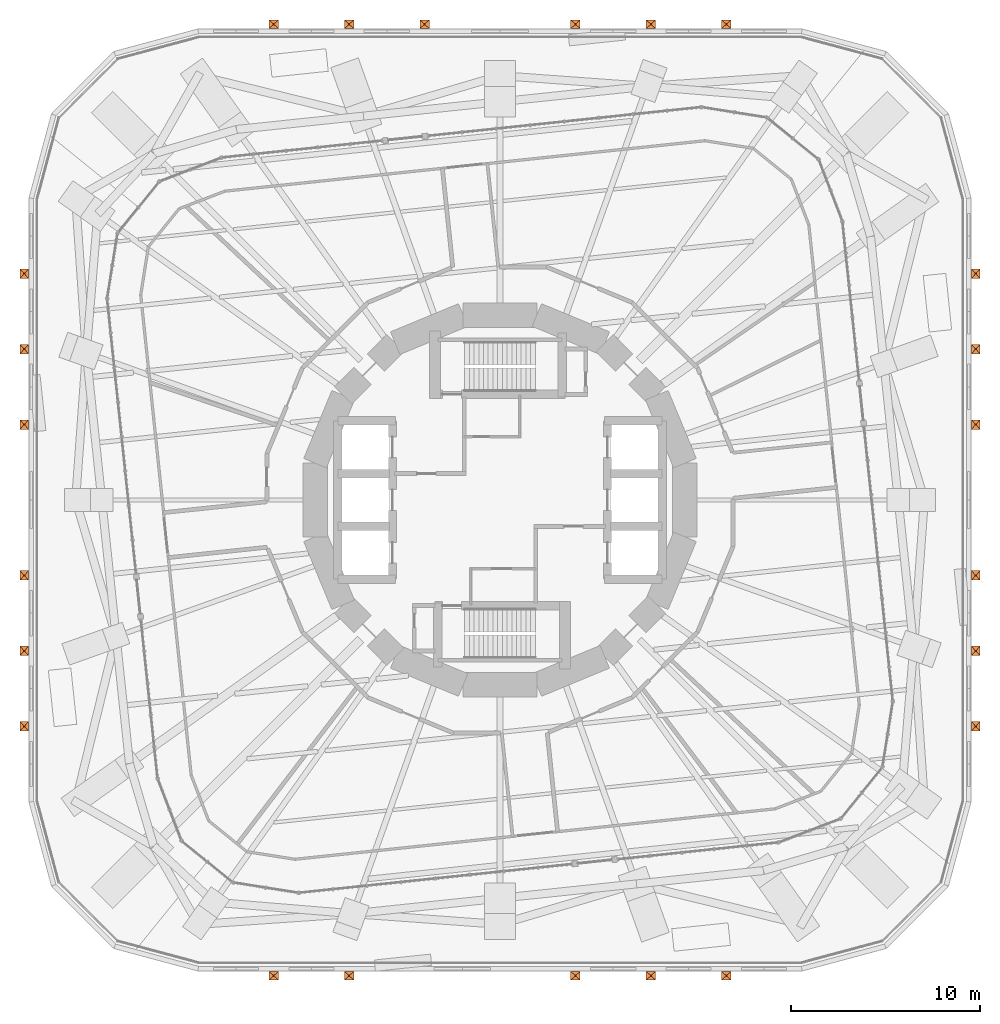
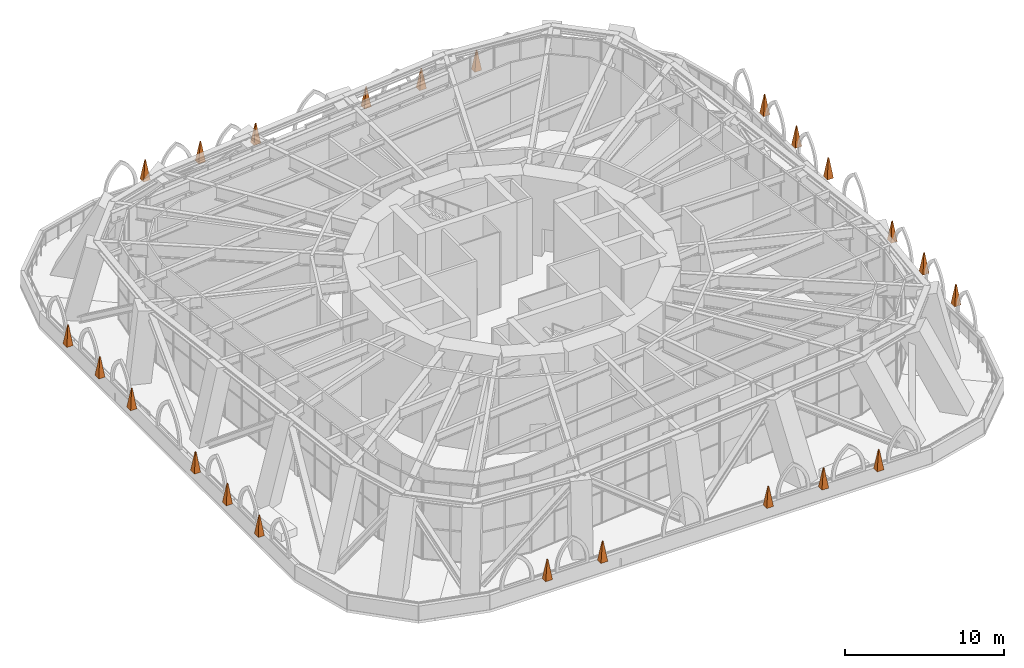
# One storey, part 20 of 20: 23 proxies.
"""IFC4 building model written with IfcOpenShell, lengths in metres."""

from ifc_helpers import new_model, entity, si_unit, direction, frame, origin, place, context, subcontext, project, spatial, material, type_object, element, save


model = new_model("IFC4")

# Units and contexts
model_context = context("Model", 3, precision=1e-05, world=origin(), true_north=direction((0.0, 1.0)))
body_context = subcontext(model_context, "Body", "Model", "MODEL_VIEW")
ifc_project = project(units=[si_unit("LENGTHUNIT", "METRE"), si_unit("AREAUNIT", "SQUARE_METRE"), si_unit("VOLUMEUNIT", "CUBIC_METRE"), si_unit("PLANEANGLEUNIT", "RADIAN"), si_unit("MASSUNIT", "GRAM", prefix="KILO")], contexts=[model_context])

# Site, building, storey
site_placement = place(None, origin())
site = spatial("IfcSite", under=ifc_project, at=site_placement, CompositionType="ELEMENT")
building_placement = place(site_placement, origin())
building = spatial("IfcBuilding", under=site, at=building_placement, Name="Nakasero Lantern House", CompositionType="ELEMENT")
storey_placement = place(building_placement, frame((0.0, 0.0, 54.5)))
storey = spatial("IfcBuildingStorey", under=building, at=storey_placement, Name="L13", CompositionType="ELEMENT", Elevation=54.5)

# Proxies
ifc_material = material(Name="Concrete C40/50 precast", Category="concrete")
building_element_proxy_type = type_object("IfcBuildingElementProxyType", Name="Pinnacle 500x450", PredefinedType="USERDEFINED", material=ifc_material)
for number, where, z_axis, x_axis, name in (
    (1, (25.22509765625, -12.0, 1.10009765625), (0.0, 0.0, 1.0), (1.0, 0.0, 0.0), "Pinnacle B1 0-00"),
    (2, (25.22509765625, -8.0, 1.10009765625), (0.0, 0.0, 1.0), (1.0, 0.0, 0.0), "Pinnacle B1 0-01"),
    (3, (25.22509765625, -4.0, 1.10009765625), (0.0, 0.0, 1.0), (1.0, 0.0, 0.0), "Pinnacle B1 0-02"),
    (4, (25.22509765625, 4.0, 1.10009765625), (0.0, 0.0, 1.0), (1.0, 0.0, 0.0), "Pinnacle B1 0-03"),
    (5, (25.22509765625, 8.0, 1.10009765625), (0.0, 0.0, 1.0), (1.0, 0.0, 0.0), "Pinnacle B1 0-04"),
    (6, (25.22509765625, 12.0, 1.10009765625), (0.0, 0.0, 1.0), (1.0, 0.0, 0.0), "Pinnacle B1 0-05"),
    (7, (12.0, 25.22509765625, 1.10009765625), (0.0, 0.0, 1.0), (0.0, 1.0, 0.0), "Pinnacle B1 1-00"),
    (8, (8.0, 25.22509765625, 1.10009765625), (0.0, 0.0, 1.0), (0.0, 1.0, 0.0), "Pinnacle B1 1-01"),
    (9, (4.0, 25.22509765625, 1.10009765625), (0.0, 0.0, 1.0), (0.0, 1.0, 0.0), "Pinnacle B1 1-02"),
    (10, (-4.0, 25.22509765625, 1.10009765625), (0.0, 0.0, 1.0), (0.0, 1.0, 0.0), "Pinnacle B1 1-03"),
    (11, (-8.0, 25.22509765625, 1.10009765625), (0.0, 0.0, 1.0), (0.0, 1.0, 0.0), "Pinnacle B1 1-04"),
    (12, (-12.0, 25.22509765625, 1.10009765625), (0.0, 0.0, 1.0), (0.0, 1.0, 0.0), "Pinnacle B1 1-05"),
    (13, (-25.22509765625, 12.0, 1.10009765625), (0.0, 0.0, 1.0), (-1.0, 0.0, 0.0), "Pinnacle B1 2-00"),
    (14, (-25.22509765625, 8.0, 1.10009765625), (0.0, 0.0, 1.0), (-1.0, 0.0, 0.0), "Pinnacle B1 2-01"),
    (15, (-25.22509765625, 4.0, 1.10009765625), (0.0, 0.0, 1.0), (-1.0, 0.0, 0.0), "Pinnacle B1 2-02"),
    (16, (-25.22509765625, -4.0, 1.10009765625), (0.0, 0.0, 1.0), (-1.0, 0.0, 0.0), "Pinnacle B1 2-03"),
    (17, (-25.22509765625, -8.0, 1.10009765625), (0.0, 0.0, 1.0), (-1.0, 0.0, 0.0), "Pinnacle B1 2-04"),
    (18, (-25.22509765625, -12.0, 1.10009765625), (0.0, 0.0, 1.0), (-1.0, 0.0, 0.0), "Pinnacle B1 2-05"),
    (19, (-12.0, -25.22509765625, 1.10009765625), (0.0, 0.0, 1.0), (0.0, -1.0, 0.0), "Pinnacle B1 3-00"),
    (20, (-8.0, -25.22509765625, 1.10009765625), (0.0, 0.0, 1.0), (0.0, -1.0, 0.0), "Pinnacle B1 3-01"),
    (21, (4.0, -25.22509765625, 1.10009765625), (0.0, 0.0, 1.0), (0.0, -1.0, 0.0), "Pinnacle B1 3-02"),
    (22, (8.0, -25.22509765625, 1.10009765625), (0.0, 0.0, 1.0), (0.0, -1.0, 0.0), "Pinnacle B1 3-03"),
    (23, (12.0, -25.22509765625, 1.10009765625), (0.0, 0.0, 1.0), (0.0, -1.0, 0.0), "Pinnacle B1 3-04"),
):
    element("IfcBuildingElementProxy", number, at=place(storey_placement, frame(where, z_axis=z_axis, x_axis=x_axis)), inside=storey, type_object=building_element_proxy_type, Name=name, ObjectType="PINNACLE", PredefinedType="USERDEFINED", context=body_context, shape_type="SweptSolid", body=[
        entity("IfcExtrudedAreaSolidTapered", entity("IfcRectangleProfileDef", "AREA", None, entity("IfcAxis2Placement2D", entity("IfcCartesianPoint", [0.0, 0.0])), 0.449951171875, 0.5), entity("IfcAxis2Placement3D", entity("IfcCartesianPoint", [0.0, 0.0, 0.0])), entity("IfcDirection", [0.0, 0.0, 1.0]), 1.5, entity("IfcRectangleProfileDef", "AREA", None, entity("IfcAxis2Placement2D", entity("IfcCartesianPoint", [0.0, 0.0])), 0.06005859375, 0.06005859375)),
    ])

save(model, "model.ifc")
